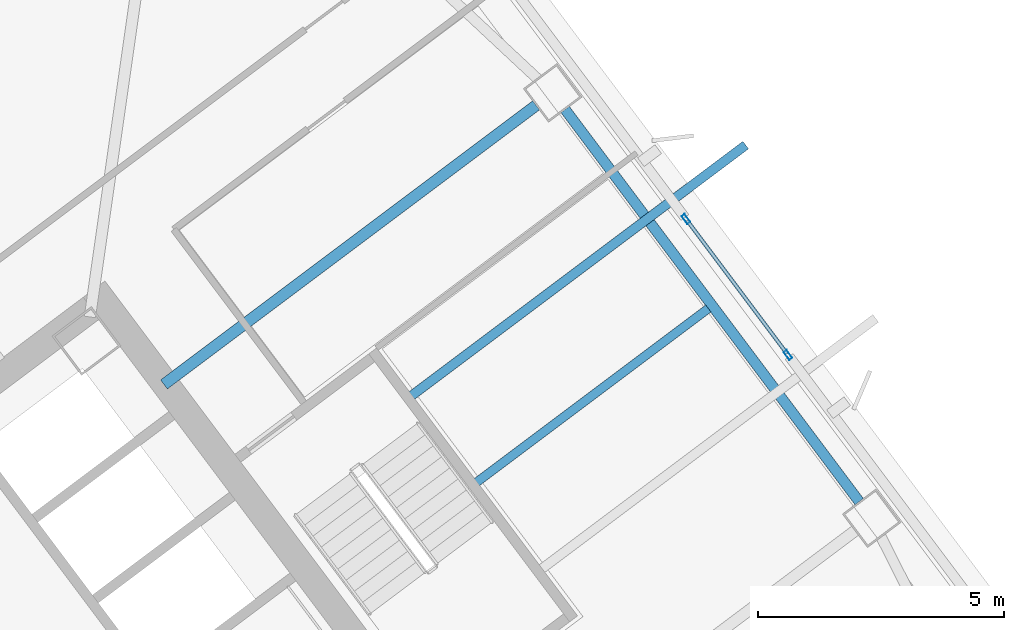
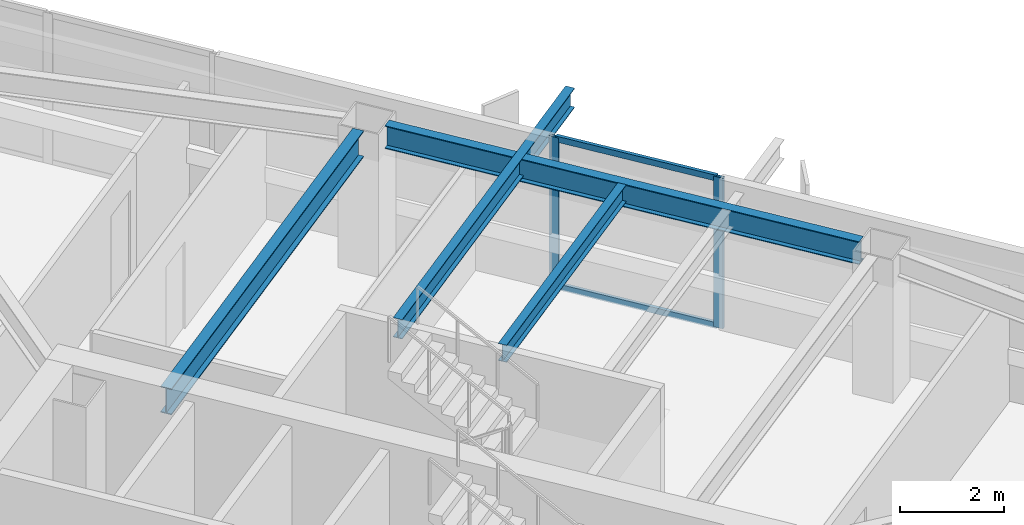
# One storey, part 32 of 48: 4 beams, 4 members, 1 element without a shape of its own.
"""IFC4 building model written with IfcOpenShell, lengths in metres."""

from ifc_helpers import new_model, si_unit, direction, frame, origin, origin_2d, place, context, subcontext, project, spatial, hollow_rectangle, i_section, extrude, material, material_profile, profile_set, type_object, element, aggregate, save


model = new_model("IFC4")

# Units and contexts
model_context = context("Model", 3, precision=1e-05, world=origin(), true_north=direction((0.0, 1.0)))
body_context = subcontext(model_context, "Body", "Model", "MODEL_VIEW")
ifc_project = project(units=[si_unit("LENGTHUNIT", "METRE"), si_unit("AREAUNIT", "SQUARE_METRE"), si_unit("VOLUMEUNIT", "CUBIC_METRE"), si_unit("PLANEANGLEUNIT", "RADIAN"), si_unit("MASSUNIT", "GRAM", prefix="KILO")], contexts=[model_context])

# Site, building, storey
site_placement = place(None, origin())
site = spatial("IfcSite", under=ifc_project, at=site_placement, CompositionType="ELEMENT")
building_placement = place(site_placement, origin())
building = spatial("IfcBuilding", under=site, at=building_placement, Name="Tashvorn Skyway Center", CompositionType="ELEMENT")
storey_placement = place(building_placement, frame((0.0, 0.0, 125.050048828125)))
storey = spatial("IfcBuildingStorey", under=building, at=storey_placement, Name="L33", CompositionType="ELEMENT", Elevation=125.050048828125)

# Beams
ifc_material_1 = material(Name="Steel ASTM A992 Grade 50", Category="steel")
ifc_material_profile_1 = material_profile(ifc_material_1, i_section(OverallWidth=0.22998046875, OverallDepth=0.616943359375, WebThickness=0.01318359375, FlangeThickness=0.022216796875, at=origin_2d()), Name="W24X94")
ifc_profile_set_1 = profile_set([ifc_material_profile_1], Name="Steel ASTM A992 Grade 50")
beam_type_1 = type_object("IfcBeamType", Name="BM-BEAM-W24X94", PredefinedType="BEAM", material=ifc_profile_set_1)
beam_1_placement = place(storey_placement, frame((124.5439453125, 46.657958984375, 3.0615234375), z_axis=(-0.800006200354, -0.599991732772, 0.0), x_axis=(0.599991732772, -0.800006200354, 0.0)))
element("IfcBeam", 1, at=beam_1_placement, inside=storey, type_object=beam_type_1, Name="Tower 2 L33 Primary Floor Girder FC-E2", PredefinedType="BEAM", context=body_context, shape_type="SweptSolid", body=[
    extrude(i_section(OverallWidth=0.22998046875, OverallDepth=0.616943359375, WebThickness=0.01318359375, FlangeThickness=0.022216796875, at=origin_2d()), origin(), (0.0, 0.0, 1.0), 9.449951171875),
])
ifc_material_profile_2 = material_profile(ifc_material_1, i_section(OverallWidth=0.177978515625, OverallDepth=0.406005859375, WebThickness=0.0078125, FlangeThickness=0.0126953125, at=origin_2d()), Name="W16X40")
ifc_profile_set_2 = profile_set([ifc_material_profile_2], Name="Steel ASTM A992 Grade 50")
beam_type_2 = type_object("IfcBeamType", Name="BM-JOIST-W16X40", PredefinedType="JOIST", material=ifc_profile_set_2)
beam_2_placement = place(storey_placement, frame((123.3359375, 39.001953125, 3.1669921875), z_axis=(0.8, 0.6, 0.0), x_axis=(-0.6, 0.8, 0.0)))
element("IfcBeam", 2, at=beam_2_placement, inside=storey, type_object=beam_type_2, Name="Tower 2 L33 Secondary Composite Joist JE", PredefinedType="JOIST", context=body_context, shape_type="SweptSolid", body=[
    extrude(i_section(OverallWidth=0.177978515625, OverallDepth=0.406005859375, WebThickness=0.0078125, FlangeThickness=0.0126953125, at=origin_2d()), origin(), (0.0, 0.0, 1.0), 5.882568359375),
])
ifc_material_profile_3 = material_profile(ifc_material_1, i_section(OverallWidth=0.19091796875, OverallDepth=0.4599609375, WebThickness=0.010009765625, FlangeThickness=0.01611328125, at=origin_2d()), Name="W18X55")
ifc_profile_set_3 = profile_set([ifc_material_profile_3], Name="Steel ASTM A992 Grade 50")
beam_type_3 = type_object("IfcBeamType", Name="BM-JOIST-W18X55", PredefinedType="JOIST", material=ifc_profile_set_3)
beam_3_placement = place(storey_placement, frame((122.01611328125, 40.761962890625, 3.139892578125), z_axis=(0.799989635456, 0.600013819143, 0.0), x_axis=(-0.600013819143, 0.799989635456, 0.0)))
element("IfcBeam", 3, at=beam_3_placement, inside=storey, type_object=beam_type_3, Name="Tower 2 L34 Terrace Cantilever Outlooker 2", PredefinedType="JOIST", context=body_context, shape_type="SweptSolid", body=[
    extrude(i_section(OverallWidth=0.19091796875, OverallDepth=0.4599609375, WebThickness=0.010009765625, FlangeThickness=0.01611328125, at=origin_2d()), origin(), (0.0, 0.0, 1.0), 8.47998046875),
])
ifc_material_profile_4 = material_profile(ifc_material_1, i_section(OverallWidth=0.2109375, OverallDepth=0.5390625, WebThickness=0.01171875, FlangeThickness=0.018798828125, at=origin_2d()), Name="W21X73")
ifc_profile_set_4 = profile_set([ifc_material_profile_4], Name="Steel ASTM A992 Grade 50")
beam_type_4 = type_object("IfcBeamType", Name="BM-SPANDREL-W21X73", PredefinedType="SPANDREL", material=ifc_profile_set_4)
beam_4_placement = place(storey_placement, frame((131.10791015625, 38.60595703125, 3.100341796875), z_axis=(-0.599988234018, 0.800008824351, 0.0), x_axis=(-0.800008824351, -0.599988234018, 0.0)))
element("IfcBeam", 4, at=beam_4_placement, inside=storey, type_object=beam_type_4, Name="Tower 2 L33 Spandrel Beam 05", PredefinedType="SPANDREL", context=body_context, shape_type="SweptSolid", body=[
    extrude(i_section(OverallWidth=0.2109375, OverallDepth=0.5390625, WebThickness=0.01171875, FlangeThickness=0.018798828125, at=origin_2d()), origin(), (0.0, 0.0, 1.0), 9.9599609375),
])

# Curtain wall, members
ifc_material_2 = material(Name="Thermally broken bronze-anodized aluminium 6063-T6", Category="aluminium")
curtain_wall_type = type_object("IfcCurtainWallType", Name="CW-CW-Z3", PredefinedType="NOTDEFINED", material=ifc_material_2)
curtain_wall_placement = place(storey_placement, origin())
curtain_wall = element("IfcCurtainWall", 5, at=curtain_wall_placement, inside=storey, type_object=curtain_wall_type, Name="Tower 2 L33 East Unitised Curtain Wall Glazing Group 2", PredefinedType="NOTDEFINED")
ifc_material_profile_5 = material_profile(ifc_material_2, hollow_rectangle(XDim=0.074951171875, YDim=0.199951171875, WallThickness=0.00439453125, at=origin_2d()), Name="ALU-MULL-75x200")
ifc_profile_set_5 = profile_set([ifc_material_profile_5], Name="Thermally broken bronze-anodized aluminium 6063-T6")
member_type_1 = type_object("IfcMemberType", Name="CWM-CW-Z3", PredefinedType="MULLION", material=ifc_profile_set_5)
member_1_placement = place(storey_placement, frame((127.587890625, 44.349609375, 0.0), z_axis=(0.0, 0.0, 1.0), x_axis=(0.799999999998, 0.600000000002, 0.0)))
member_1 = element("IfcMember", 6, at=member_1_placement, type_object=member_type_1, Name="CW-Z3 mullion 1", PredefinedType="MULLION", context=body_context, shape_type="SweptSolid", body=[
    extrude(hollow_rectangle(XDim=0.074951171875, YDim=0.199951171875, WallThickness=0.00439453125, at=origin_2d()), origin(), (0.0, 0.0, 1.0), 3.550048828125),
])
member_2_placement = place(storey_placement, frame((129.66015625, 41.58642578125, 0.0), z_axis=(0.0, 0.0, 1.0), x_axis=(0.799999999998, 0.600000000002, 0.0)))
member_2 = element("IfcMember", 7, at=member_2_placement, type_object=member_type_1, Name="CW-Z3 mullion 2", PredefinedType="MULLION", context=body_context, shape_type="SweptSolid", body=[
    extrude(hollow_rectangle(XDim=0.074951171875, YDim=0.199951171875, WallThickness=0.00439453125, at=origin_2d()), origin(), (0.0, 0.0, 1.0), 3.550048828125),
])
ifc_material_profile_6 = material_profile(ifc_material_2, hollow_rectangle(XDim=0.074951171875, YDim=0.139892578125, WallThickness=0.004150390625, at=origin_2d()), Name="ALU-TRAN-75x140")
ifc_profile_set_6 = profile_set([ifc_material_profile_6], Name="Thermally broken bronze-anodized aluminium 6063-T6")
member_type_2 = type_object("IfcMemberType", Name="CWT-CW-Z3", PredefinedType="USERDEFINED", material=ifc_profile_set_6)
member_3_placement = place(storey_placement, frame((127.6103515625, 44.319580078125, 0.037353515625), z_axis=(0.6, -0.8, 0.0), x_axis=(0.8, 0.6, 0.0)))
member_3 = element("IfcMember", 8, at=member_3_placement, type_object=member_type_2, Name="CW-Z3 transom 1.1", ObjectType="TRANSOM", PredefinedType="USERDEFINED", context=body_context, shape_type="SweptSolid", body=[
    extrude(hollow_rectangle(XDim=0.074951171875, YDim=0.139892578125, WallThickness=0.004150390625, at=origin_2d()), origin(), (0.0, 0.0, 1.0), 3.37890625),
])
member_4_placement = place(storey_placement, frame((127.6103515625, 44.319580078125, 3.512451171875), z_axis=(0.6, -0.8, 0.0), x_axis=(0.8, 0.6, 0.0)))
member_4 = element("IfcMember", 9, at=member_4_placement, type_object=member_type_2, Name="CW-Z3 transom 1.2", ObjectType="TRANSOM", PredefinedType="USERDEFINED", context=body_context, shape_type="SweptSolid", body=[
    extrude(hollow_rectangle(XDim=0.074951171875, YDim=0.139892578125, WallThickness=0.004150390625, at=origin_2d()), origin(), (0.0, 0.0, 1.0), 3.37890625),
])
aggregate(curtain_wall, [member_1, member_2, member_3, member_4])

save(model, "model.ifc")
